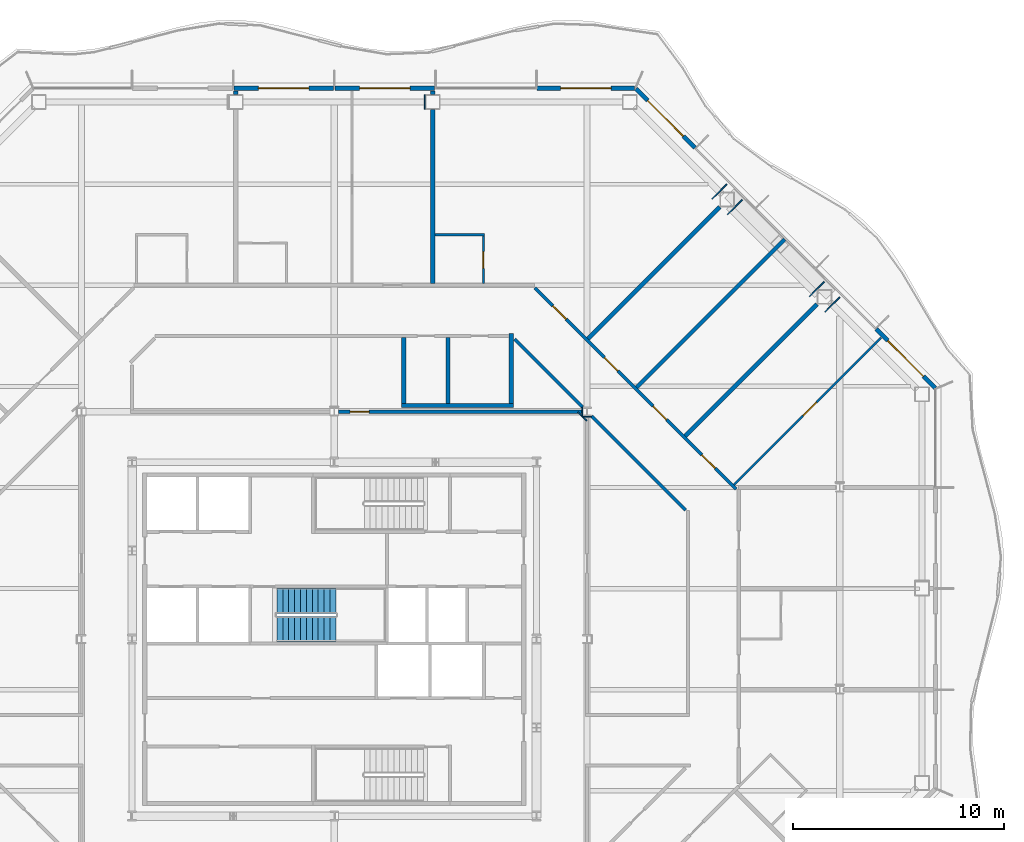
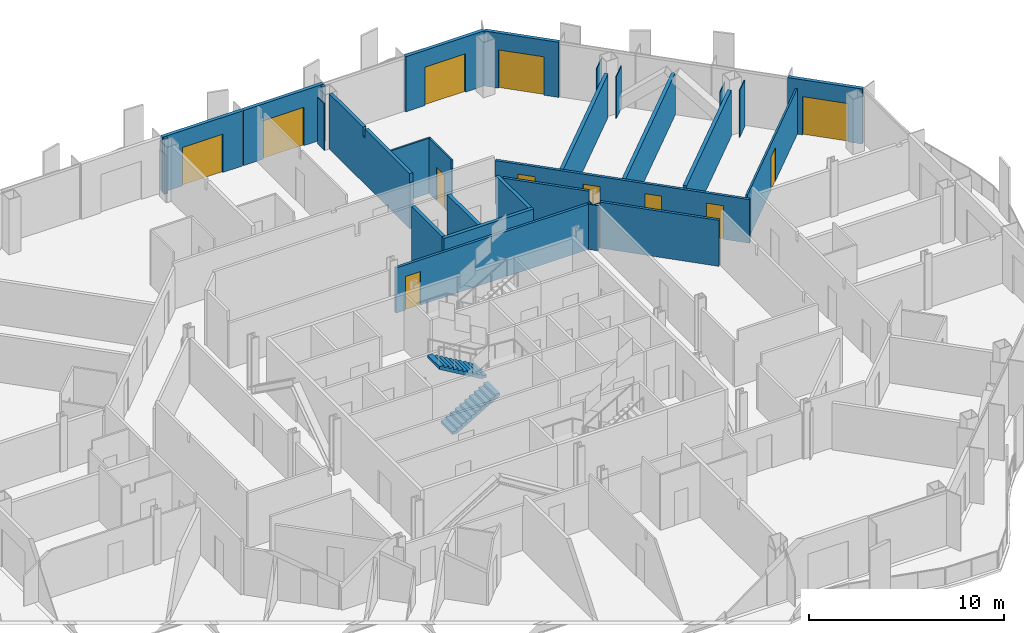
# One storey, part 13 of 22: 30 walls, 12 doors, 2 stair flights, 12 openings, 1 element without a shape of its own.
"""IFC4 building model written with IfcOpenShell, lengths in metres."""

from ifc_helpers import new_model, si_unit, direction, frame, frame_2d, origin, place, context, subcontext, project, spatial, polyline, rectangle, outline, extrude, material, layer, layer_set, type_object, element, fill, aggregate, save


model = new_model("IFC4")

# Units and contexts
model_context = context("Model", 3, precision=1e-05, world=origin(), true_north=direction((0.0, 1.0)))
body_context = subcontext(model_context, "Body", "Model", "MODEL_VIEW")
ifc_project = project(units=[si_unit("LENGTHUNIT", "METRE"), si_unit("AREAUNIT", "SQUARE_METRE"), si_unit("VOLUMEUNIT", "CUBIC_METRE"), si_unit("PLANEANGLEUNIT", "RADIAN"), si_unit("MASSUNIT", "GRAM", prefix="KILO")], contexts=[model_context])

# Site, building, storey
site_placement = place(None, origin())
site = spatial("IfcSite", under=ifc_project, at=site_placement, CompositionType="ELEMENT")
building_placement = place(site_placement, origin())
building = spatial("IfcBuilding", under=site, at=building_placement, Name="Cairn Pilgrim Tower", CompositionType="ELEMENT")
storey_placement = place(building_placement, frame((0.0, 0.0, 147.0)))
storey = spatial("IfcBuildingStorey", under=building, at=storey_placement, Name="L36", CompositionType="ELEMENT", Elevation=147.0)

# Wall, opening, door
ifc_material_1 = material(Name="Bronze anodised aluminium insulated sandwich panel with mineral wool fill", Category="aluminium")
ifc_layer_1 = layer(ifc_material_1, 0.199951171875)
ifc_layer_set_1 = layer_set([ifc_layer_1], Name="BRONZE INFILL FRAME WALL 200")
wall_type_1 = type_object("IfcWallType", Name="BRONZE INFILL FRAME WALL 200", PredefinedType="NOTDEFINED", material=ifc_layer_set_1)
wall_1_placement = place(storey_placement, frame((35.7216796875, 14.32470703125, 0.0), z_axis=(0.0, 0.0, 1.0), x_axis=(-0.707106781187, 0.707106781187, 0.0)))
wall_1 = element("IfcWall", 1, at=wall_1_placement, inside=storey, type_object=wall_type_1, Name="Bronze infill frame wall IW-NE1", PredefinedType="NOTDEFINED", context=body_context, shape_type="SweptSolid", body=[
    extrude(rectangle(XDim=3.961669921875, YDim=0.199951171875, at=frame_2d((1.98095703125, 0.0))), origin(), (0.0, 0.0, 1.0), 3.449951171875),
])
opening_1_placement = place(wall_1_placement, frame((0.775390625, 0.0, 0.0)))
opening_1 = element("IfcOpeningElement", 2, at=opening_1_placement, cuts=wall_1, Name="Opening 3621B", PredefinedType="OPENING", context=body_context, shape_type="SweptSolid", body=[
    extrude(rectangle(XDim=2.39990234375, YDim=2.39990234375, at=frame_2d((1.199951171875, 1.199951171875))), frame((0.0, 0.10986328125, 0.0), z_axis=(0.0, -1.0, 0.0), x_axis=(1.0, 0.0, 0.0)), (0.0, 0.0, 1.0), 0.219970703125),
])
ifc_material_2 = material(Name="Bronze anodised aluminium frame with tinted low-E glass", Category="aluminium")
door_type_1 = type_object("IfcDoorType", Name="BALCONY SLIDING DOOR 2400x2400", OperationType="DOUBLE_DOOR_SLIDING", PredefinedType="DOOR", material=ifc_material_2)
door_1_placement = place(opening_1_placement, origin())
door_1 = element("IfcDoor", 3, at=door_1_placement, inside=storey, type_object=door_type_1, Name="Balcony sliding door 3621B", OperationType="SINGLE_SWING_LEFT", OverallHeight=2.39990234375, OverallWidth=2.39990234375, PredefinedType="DOOR", context=body_context, shape_type="SweptSolid", body=[
    extrude(rectangle(XDim=2.39990234375, YDim=2.39990234375, at=frame_2d((1.199951171875, 1.199951171875))), frame((0.0, 0.02490234375, 0.0), z_axis=(0.0, -1.0, 0.0), x_axis=(1.0, 0.0, 0.0)), (0.0, 0.0, 1.0), 0.050048828125),
])
fill(opening_1, door_1)

wall_2_placement = place(storey_placement, frame((24.325927734375, 25.720458984375, 0.0), z_axis=(0.0, 0.0, 1.0), x_axis=(-0.707106781187, 0.707106781187, 0.0)))
wall_2 = element("IfcWall", 4, at=wall_2_placement, inside=storey, type_object=wall_type_1, Name="Bronze infill frame wall IW-NE5", PredefinedType="NOTDEFINED", context=body_context, shape_type="SweptSolid", body=[
    extrude(rectangle(XDim=3.961669921875, YDim=0.199951171875, at=frame_2d((1.98095703125, 0.0))), origin(), (0.0, 0.0, 1.0), 3.449951171875),
])
opening_2_placement = place(wall_2_placement, frame((0.78564453125, 0.0, 0.0)))
opening_2 = element("IfcOpeningElement", 5, at=opening_2_placement, cuts=wall_2, Name="Opening 3609B", PredefinedType="OPENING", context=body_context, shape_type="SweptSolid", body=[
    extrude(rectangle(XDim=2.39990234375, YDim=2.39990234375, at=frame_2d((1.199951171875, 1.199951171875))), frame((0.0, 0.10986328125, 0.0), z_axis=(0.0, -1.0, 0.0), x_axis=(1.0, 0.0, 0.0)), (0.0, 0.0, 1.0), 0.219970703125),
])
door_2_placement = place(opening_2_placement, origin())
door_2 = element("IfcDoor", 6, at=door_2_placement, inside=storey, type_object=door_type_1, Name="Balcony sliding door 3609B", OperationType="SINGLE_SWING_LEFT", OverallHeight=2.39990234375, OverallWidth=2.39990234375, PredefinedType="DOOR", context=body_context, shape_type="SweptSolid", body=[
    extrude(rectangle(XDim=2.39990234375, YDim=2.39990234375, at=frame_2d((1.199951171875, 1.199951171875))), frame((0.0, 0.02490234375, 0.0), z_axis=(0.0, -1.0, 0.0), x_axis=(1.0, 0.0, 0.0)), (0.0, 0.0, 1.0), 0.050048828125),
])
fill(opening_2, door_2)

wall_3_placement = place(storey_placement, frame((21.45654296875, 28.550048828125, 0.0), z_axis=(0.0, 0.0, 1.0), x_axis=(-1.0, 0.0, 0.0)))
wall_3 = element("IfcWall", 7, at=wall_3_placement, inside=storey, type_object=wall_type_1, Name="Bronze infill frame wall IW-N1", PredefinedType="NOTDEFINED", context=body_context, shape_type="SweptSolid", body=[
    extrude(rectangle(XDim=4.62646484375, YDim=0.199951171875, at=frame_2d((2.313232421875, 0.0))), origin(), (0.0, 0.0, 1.0), 3.449951171875),
])
opening_3_placement = place(wall_3_placement, frame((1.1083984375, 0.0, 0.0)))
opening_3 = element("IfcOpeningElement", 8, at=opening_3_placement, cuts=wall_3, Name="Opening 3609B2", PredefinedType="OPENING", context=body_context, shape_type="SweptSolid", body=[
    extrude(rectangle(XDim=2.39990234375, YDim=2.39990234375, at=frame_2d((1.199951171875, 1.199951171875))), frame((0.0, 0.10986328125, 0.0), z_axis=(0.0, -1.0, 0.0), x_axis=(1.0, 0.0, 0.0)), (0.0, 0.0, 1.0), 0.219970703125),
])
door_3_placement = place(opening_3_placement, origin())
door_3 = element("IfcDoor", 9, at=door_3_placement, inside=storey, type_object=door_type_1, Name="Balcony sliding door 3609B2", OperationType="SINGLE_SWING_LEFT", OverallHeight=2.39990234375, OverallWidth=2.39990234375, PredefinedType="DOOR", context=body_context, shape_type="SweptSolid", body=[
    extrude(rectangle(XDim=2.39990234375, YDim=2.39990234375, at=frame_2d((1.199951171875, 1.199951171875))), frame((0.0, 0.02490234375, 0.0), z_axis=(0.0, -1.0, 0.0), x_axis=(1.0, 0.0, 0.0)), (0.0, 0.0, 1.0), 0.050048828125),
])
fill(opening_3, door_3)

wall_4_placement = place(storey_placement, frame((11.969970703125, 28.550048828125, 0.0), z_axis=(0.0, 0.0, 1.0), x_axis=(-1.0, 0.0, 0.0)))
wall_4 = element("IfcWall", 10, at=wall_4_placement, inside=storey, type_object=wall_type_1, Name="Bronze infill frame wall IW-N3", PredefinedType="NOTDEFINED", context=body_context, shape_type="SweptSolid", body=[
    extrude(rectangle(XDim=4.739990234375, YDim=0.199951171875, at=frame_2d((2.3701171875, 0.0))), origin(), (0.0, 0.0, 1.0), 3.449951171875),
])
opening_4_placement = place(wall_4_placement, frame((1.17041015625, 0.0, 0.0)))
opening_4 = element("IfcOpeningElement", 11, at=opening_4_placement, cuts=wall_4, Name="Opening 3610B", PredefinedType="OPENING", context=body_context, shape_type="SweptSolid", body=[
    extrude(rectangle(XDim=2.39990234375, YDim=2.39990234375, at=frame_2d((1.199951171875, 1.199951171875))), frame((0.0, 0.10986328125, 0.0), z_axis=(0.0, -1.0, 0.0), x_axis=(1.0, 0.0, 0.0)), (0.0, 0.0, 1.0), 0.219970703125),
])
door_4_placement = place(opening_4_placement, origin())
door_4 = element("IfcDoor", 12, at=door_4_placement, inside=storey, type_object=door_type_1, Name="Balcony sliding door 3610B", OperationType="SINGLE_SWING_LEFT", OverallHeight=2.39990234375, OverallWidth=2.39990234375, PredefinedType="DOOR", context=body_context, shape_type="SweptSolid", body=[
    extrude(rectangle(XDim=2.39990234375, YDim=2.39990234375, at=frame_2d((1.199951171875, 1.199951171875))), frame((0.0, 0.02490234375, 0.0), z_axis=(0.0, -1.0, 0.0), x_axis=(1.0, 0.0, 0.0)), (0.0, 0.0, 1.0), 0.050048828125),
])
fill(opening_4, door_4)

wall_5_placement = place(storey_placement, frame((7.169921875, 28.550048828125, 0.0), z_axis=(0.0, 0.0, 1.0), x_axis=(-1.0, 0.0, 0.0)))
wall_5 = element("IfcWall", 13, at=wall_5_placement, inside=storey, type_object=wall_type_1, Name="Bronze infill frame wall IW-N4", PredefinedType="NOTDEFINED", context=body_context, shape_type="SweptSolid", body=[
    extrude(rectangle(XDim=4.739990234375, YDim=0.199951171875, at=frame_2d((2.3701171875, 0.0))), origin(), (0.0, 0.0, 1.0), 3.449951171875),
])
opening_5_placement = place(wall_5_placement, frame((1.17041015625, 0.0, 0.0)))
opening_5 = element("IfcOpeningElement", 14, at=opening_5_placement, cuts=wall_5, Name="Opening 3610SB", PredefinedType="OPENING", context=body_context, shape_type="SweptSolid", body=[
    extrude(rectangle(XDim=2.39990234375, YDim=2.39990234375, at=frame_2d((1.199951171875, 1.199951171875))), frame((0.0, 0.10986328125, 0.0), z_axis=(0.0, -1.0, 0.0), x_axis=(1.0, 0.0, 0.0)), (0.0, 0.0, 1.0), 0.219970703125),
])
door_5_placement = place(opening_5_placement, origin())
door_5 = element("IfcDoor", 15, at=door_5_placement, inside=storey, type_object=door_type_1, Name="Balcony sliding door 3610SB", OperationType="SINGLE_SWING_LEFT", OverallHeight=2.39990234375, OverallWidth=2.39990234375, PredefinedType="DOOR", context=body_context, shape_type="SweptSolid", body=[
    extrude(rectangle(XDim=2.39990234375, YDim=2.39990234375, at=frame_2d((1.199951171875, 1.199951171875))), frame((0.0, 0.02490234375, 0.0), z_axis=(0.0, -1.0, 0.0), x_axis=(1.0, 0.0, 0.0)), (0.0, 0.0, 1.0), 0.050048828125),
])
fill(opening_5, door_5)

ifc_material_3 = material(Name="Gypsum partition")
ifc_layer_2 = layer(ifc_material_3, 0.10009765625)
ifc_layer_set_2 = layer_set([ifc_layer_2], Name="PARTITION 100 DRYWALL")
wall_type_2 = type_object("IfcWallType", Name="PARTITION 100 DRYWALL", PredefinedType="PARTITIONING", material=ifc_layer_set_2)
wall_6_placement = place(storey_placement, frame((26.174072265625, 9.72607421875, 0.0), z_axis=(0.0, 0.0, 1.0), x_axis=(0.707106781187, 0.707106781187, 0.0)))
wall_6 = element("IfcWall", 16, at=wall_6_placement, inside=storey, type_object=wall_type_2, Name="PARTITION W072", PredefinedType="PARTITIONING", context=body_context, shape_type="SweptSolid", body=[
    extrude(rectangle(XDim=9.872802734375, YDim=0.10009765625, at=frame_2d((4.9365234375, 0.0))), origin(), (0.0, 0.0, 1.0), 2.8798828125),
])
opening_6_placement = place(wall_6_placement, frame((4.638916015625, 0.0, 0.0)))
opening_6 = element("IfcOpeningElement", 17, at=opening_6_placement, cuts=wall_6, Name="Opening 3621", PredefinedType="OPENING", context=body_context, shape_type="SweptSolid", body=[
    extrude(rectangle(XDim=0.89990234375, YDim=2.10009765625, at=frame_2d((0.449951171875, 1.050048828125))), frame((0.0, 0.06005859375, 0.0), z_axis=(0.0, -1.0, 0.0), x_axis=(1.0, 0.0, 0.0)), (0.0, 0.0, 1.0), 0.1201171875),
])
ifc_material_4 = material(Name="Timber door leaf", Category="wood")
door_type_2 = type_object("IfcDoorType", Name="SERVICE DOOR 900x2100", OperationType="NOTDEFINED", PredefinedType="DOOR", material=ifc_material_4)
door_6_placement = place(opening_6_placement, origin())
door_6 = element("IfcDoor", 18, at=door_6_placement, inside=storey, type_object=door_type_2, Name="DOOR 3621", OperationType="SINGLE_SWING_RIGHT", OverallHeight=2.10009765625, OverallWidth=0.89990234375, PredefinedType="DOOR", context=body_context, shape_type="SweptSolid", body=[
    extrude(rectangle(XDim=0.89990234375, YDim=2.10009765625, at=frame_2d((0.449951171875, 1.050048828125))), frame((0.0, 0.02490234375, 0.0), z_axis=(0.0, -1.0, 0.0), x_axis=(1.0, 0.0, 0.0)), (0.0, 0.0, 1.0), 0.050048828125),
])
fill(opening_6, door_6)

wall_7_placement = place(storey_placement, frame((14.27587890625, 19.27490234375, 0.0), z_axis=(0.0, 0.0, 1.0), x_axis=(0.0, 1.0, 0.0)))
wall_7 = element("IfcWall", 19, at=wall_7_placement, inside=storey, type_object=wall_type_2, Name="PARTITION W097", PredefinedType="PARTITIONING", context=body_context, shape_type="SweptSolid", body=[
    extrude(outline(polyline([(0.0, 0.0), (2.275146484375, 0.0), (2.27490234375, 3.449951171875), (0.030029296875, 3.449951171875), (0.028076171875, 2.8798828125), (0.0, 2.8798828125), (0.0, 0.0)])), frame((0.0, 0.050048828125, 0.0), z_axis=(0.0, -1.0, 0.0), x_axis=(1.0, 0.0, 0.0)), (0.0, 0.0, 1.0), 0.10009765625),
])
opening_7_placement = place(wall_7_placement, frame((0.72509765625, 0.0, 0.0)))
opening_7 = element("IfcOpeningElement", 20, at=opening_7_placement, cuts=wall_7, Name="Opening 3609A", PredefinedType="OPENING", context=body_context, shape_type="SweptSolid", body=[
    extrude(rectangle(XDim=0.800048828125, YDim=2.10009765625, at=frame_2d((0.39990234375, 1.050048828125))), frame((0.0, 0.06005859375, 0.0), z_axis=(0.0, -1.0, 0.0), x_axis=(1.0, 0.0, 0.0)), (0.0, 0.0, 1.0), 0.1201171875),
])
door_type_3 = type_object("IfcDoorType", Name="WC DOOR 800x2100", OperationType="NOTDEFINED", PredefinedType="DOOR", material=ifc_material_4)
door_7_placement = place(opening_7_placement, frame((0.800048828125, 0.0, 0.0), z_axis=(0.0, 0.0, 1.0), x_axis=(-1.0, 0.0, 0.0)))
door_7 = element("IfcDoor", 21, at=door_7_placement, inside=storey, type_object=door_type_3, Name="DOOR 3609A", OperationType="SINGLE_SWING_LEFT", OverallHeight=2.10009765625, OverallWidth=0.800048828125, PredefinedType="DOOR", context=body_context, shape_type="SweptSolid", body=[
    extrude(rectangle(XDim=0.800048828125, YDim=2.10009765625, at=frame_2d((0.39990234375, 1.050048828125))), frame((0.0, 0.02490234375, 0.0), z_axis=(0.0, -1.0, 0.0), x_axis=(1.0, 0.0, 0.0)), (0.0, 0.0, 1.0), 0.050048828125),
])
fill(opening_7, door_7)

# Walls
wall_8_placement = place(storey_placement, frame((11.97607421875, 21.60009765625, 0.0), z_axis=(0.0, 0.0, 1.0), x_axis=(1.0, 0.0, 0.0)))
element("IfcWall", 22, at=wall_8_placement, inside=storey, type_object=wall_type_2, Name="PARTITION W101", PredefinedType="PARTITIONING", context=body_context, shape_type="SweptSolid", body=[
    extrude(rectangle(XDim=2.349853515625, YDim=0.10009765625, at=frame_2d((1.1748046875, 0.0))), origin(), (0.0, 0.0, 1.0), 3.449951171875),
])
ifc_layer_3 = layer(ifc_material_3, 0.14990234375)
ifc_layer_set_3 = layer_set([ifc_layer_3], Name="PARTITION 150 DRYWALL EI 60")
wall_type_3 = type_object("IfcWallType", Name="PARTITION 150 DRYWALL EI 60", PredefinedType="PARTITIONING", material=ifc_layer_set_3)
wall_9_placement = place(storey_placement, frame((23.8720703125, 8.528076171875, 0.0), z_axis=(0.0, 0.0, 1.0), x_axis=(-0.707126119272, 0.707087442572, 0.0)))
element("IfcWall", 23, at=wall_9_placement, inside=storey, type_object=wall_type_3, Name="PARTITION W064", PredefinedType="PARTITIONING", context=body_context, shape_type="SweptSolid", body=[
    extrude(rectangle(XDim=6.312255859375, YDim=0.14990234375, at=frame_2d((3.15625, 0.0))), origin(), (0.0, 0.0, 1.0), 2.8798828125),
])

# Wall, openings, doors
wall_10_placement = place(storey_placement, frame((26.27197265625, 9.52197265625, 0.0), z_axis=(0.0, 0.0, 1.0), x_axis=(-0.707097742657, 0.707115819601, 0.0)))
wall_10 = element("IfcWall", 24, at=wall_10_placement, inside=storey, type_object=wall_type_3, Name="PARTITION W066", PredefinedType="PARTITIONING", context=body_context, shape_type="SweptSolid", body=[
    extrude(rectangle(XDim=13.505615234375, YDim=0.14990234375, at=frame_2d((6.7529296875, 0.0))), origin(), (0.0, 0.0, 1.0), 2.72998046875),
])
opening_8_placement = place(wall_10_placement, frame((1.398193359375, 0.0, 0.0)))
opening_8 = element("IfcOpeningElement", 25, at=opening_8_placement, cuts=wall_10, Name="Opening 3606", PredefinedType="OPENING", context=body_context, shape_type="SweptSolid", body=[
    extrude(rectangle(XDim=0.89990234375, YDim=2.10009765625, at=frame_2d((0.449951171875, 1.050048828125))), frame((0.0, 0.0849609375, 0.0), z_axis=(0.0, -1.0, 0.0), x_axis=(1.0, 0.0, 0.0)), (0.0, 0.0, 1.0), 0.169921875),
])
opening_9_placement = place(wall_10_placement, frame((4.667724609375, 0.0, 0.0)))
opening_9 = element("IfcOpeningElement", 26, at=opening_9_placement, cuts=wall_10, Name="Opening 3607", PredefinedType="OPENING", context=body_context, shape_type="SweptSolid", body=[
    extrude(rectangle(XDim=0.89990234375, YDim=2.10009765625, at=frame_2d((0.449951171875, 1.050048828125))), frame((0.0, 0.0849609375, 0.0), z_axis=(0.0, -1.0, 0.0), x_axis=(1.0, 0.0, 0.0)), (0.0, 0.0, 1.0), 0.169921875),
])
opening_10_placement = place(wall_10_placement, frame((7.9375, 0.0, 0.0)))
opening_10 = element("IfcOpeningElement", 27, at=opening_10_placement, cuts=wall_10, Name="Opening 3608", PredefinedType="OPENING", context=body_context, shape_type="SweptSolid", body=[
    extrude(rectangle(XDim=0.89990234375, YDim=2.10009765625, at=frame_2d((0.449951171875, 1.050048828125))), frame((0.0, 0.0849609375, 0.0), z_axis=(0.0, -1.0, 0.0), x_axis=(1.0, 0.0, 0.0)), (0.0, 0.0, 1.0), 0.169921875),
])
opening_11_placement = place(wall_10_placement, frame((11.40478515625, 0.0, 0.0)))
opening_11 = element("IfcOpeningElement", 28, at=opening_11_placement, cuts=wall_10, Name="Opening 3609", PredefinedType="OPENING", context=body_context, shape_type="SweptSolid", body=[
    extrude(rectangle(XDim=0.89990234375, YDim=2.10009765625, at=frame_2d((0.449951171875, 1.050048828125))), frame((0.0, 0.0849609375, 0.0), z_axis=(0.0, -1.0, 0.0), x_axis=(1.0, 0.0, 0.0)), (0.0, 0.0, 1.0), 0.169921875),
])
door_type_4 = type_object("IfcDoorType", Name="ROOM DOOR 900x2100 FD30S", OperationType="NOTDEFINED", PredefinedType="DOOR", material=ifc_material_4)
door_8_placement = place(opening_8_placement, frame((0.89990234375, 0.0, 0.0), z_axis=(0.0, 0.0, 1.0), x_axis=(-1.0, 0.0, 0.0)))
door_8 = element("IfcDoor", 29, at=door_8_placement, inside=storey, type_object=door_type_4, Name="DOOR 3606", OperationType="SINGLE_SWING_LEFT", OverallHeight=2.10009765625, OverallWidth=0.89990234375, PredefinedType="DOOR", context=body_context, shape_type="SweptSolid", body=[
    extrude(rectangle(XDim=0.89990234375, YDim=2.10009765625, at=frame_2d((0.449951171875, 1.050048828125))), frame((0.0, 0.02490234375, 0.0), z_axis=(0.0, -1.0, 0.0), x_axis=(1.0, 0.0, 0.0)), (0.0, 0.0, 1.0), 0.050048828125),
])
fill(opening_8, door_8)
door_9_placement = place(opening_11_placement, frame((0.89990234375, 0.0, 0.0), z_axis=(0.0, 0.0, 1.0), x_axis=(-1.0, 0.0, 0.0)))
door_9 = element("IfcDoor", 30, at=door_9_placement, inside=storey, type_object=door_type_4, Name="DOOR 3609", OperationType="SINGLE_SWING_LEFT", OverallHeight=2.10009765625, OverallWidth=0.89990234375, PredefinedType="DOOR", context=body_context, shape_type="SweptSolid", body=[
    extrude(rectangle(XDim=0.89990234375, YDim=2.10009765625, at=frame_2d((0.449951171875, 1.050048828125))), frame((0.0, 0.02490234375, 0.0), z_axis=(0.0, -1.0, 0.0), x_axis=(1.0, 0.0, 0.0)), (0.0, 0.0, 1.0), 0.050048828125),
])
fill(opening_11, door_9)
door_type_5 = type_object("IfcDoorType", Name="SERVICE DOOR 900x2100 FD30S", OperationType="NOTDEFINED", PredefinedType="DOOR", material=ifc_material_4)
door_10_placement = place(opening_9_placement, frame((0.89990234375, 0.0, 0.0), z_axis=(0.0, 0.0, 1.0), x_axis=(-1.0, 0.0, 0.0)))
door_10 = element("IfcDoor", 31, at=door_10_placement, inside=storey, type_object=door_type_5, Name="DOOR 3607", OperationType="SINGLE_SWING_LEFT", OverallHeight=2.10009765625, OverallWidth=0.89990234375, PredefinedType="DOOR", context=body_context, shape_type="SweptSolid", body=[
    extrude(rectangle(XDim=0.89990234375, YDim=2.10009765625, at=frame_2d((0.449951171875, 1.050048828125))), frame((0.0, 0.02490234375, 0.0), z_axis=(0.0, -1.0, 0.0), x_axis=(1.0, 0.0, 0.0)), (0.0, 0.0, 1.0), 0.050048828125),
])
fill(opening_9, door_10)
door_11_placement = place(opening_10_placement, frame((0.89990234375, 0.0, 0.0), z_axis=(0.0, 0.0, 1.0), x_axis=(-1.0, 0.0, 0.0)))
door_11 = element("IfcDoor", 32, at=door_11_placement, inside=storey, type_object=door_type_5, Name="DOOR 3608", OperationType="SINGLE_SWING_LEFT", OverallHeight=2.10009765625, OverallWidth=0.89990234375, PredefinedType="DOOR", context=body_context, shape_type="SweptSolid", body=[
    extrude(rectangle(XDim=0.89990234375, YDim=2.10009765625, at=frame_2d((0.449951171875, 1.050048828125))), frame((0.0, 0.02490234375, 0.0), z_axis=(0.0, -1.0, 0.0), x_axis=(1.0, 0.0, 0.0)), (0.0, 0.0, 1.0), 0.050048828125),
])
fill(opening_10, door_11)

# Wall, opening, door
wall_11_placement = place(storey_placement, frame((7.404541015625, 13.199951171875, 0.0), z_axis=(0.0, 0.0, 1.0), x_axis=(1.0, 0.0, 0.0)))
wall_11 = element("IfcWall", 33, at=wall_11_placement, inside=storey, type_object=wall_type_3, Name="PARTITION W078", PredefinedType="PARTITIONING", context=body_context, shape_type="SweptSolid", body=[
    extrude(rectangle(XDim=11.591064453125, YDim=0.14990234375, at=frame_2d((5.79541015625, 0.0))), origin(), (0.0, 0.0, 1.0), 2.830078125),
])
opening_12_placement = place(wall_11_placement, frame((0.54541015625, 0.0, 0.0)))
opening_12 = element("IfcOpeningElement", 34, at=opening_12_placement, cuts=wall_11, Name="Opening 3627", PredefinedType="OPENING", context=body_context, shape_type="SweptSolid", body=[
    extrude(rectangle(XDim=0.89990234375, YDim=2.10009765625, at=frame_2d((0.449951171875, 1.050048828125))), frame((0.0, 0.0849609375, 0.0), z_axis=(0.0, -1.0, 0.0), x_axis=(1.0, 0.0, 0.0)), (0.0, 0.0, 1.0), 0.169921875),
])
door_12_placement = place(opening_12_placement, origin())
door_12 = element("IfcDoor", 35, at=door_12_placement, inside=storey, type_object=door_type_5, Name="DOOR 3627", OperationType="SINGLE_SWING_LEFT", OverallHeight=2.10009765625, OverallWidth=0.89990234375, PredefinedType="DOOR", context=body_context, shape_type="SweptSolid", body=[
    extrude(rectangle(XDim=0.89990234375, YDim=2.10009765625, at=frame_2d((0.449951171875, 1.050048828125))), frame((0.0, 0.02490234375, 0.0), z_axis=(0.0, -1.0, 0.0), x_axis=(1.0, 0.0, 0.0)), (0.0, 0.0, 1.0), 0.050048828125),
])
fill(opening_12, door_12)

# Walls
wall_12_placement = place(storey_placement, frame((18.991455078125, 13.408447265625, 0.0), z_axis=(0.0, 0.0, 1.0), x_axis=(-0.707106781187, 0.707106781187, 0.0)))
element("IfcWall", 36, at=wall_12_placement, inside=storey, type_object=wall_type_3, Name="PARTITION W080", PredefinedType="PARTITIONING", context=body_context, shape_type="SweptSolid", body=[
    extrude(rectangle(XDim=4.580078125, YDim=0.14990234375, at=frame_2d((2.2900390625, 0.0))), origin(), (0.0, 0.0, 1.0), 3.449951171875),
])
ifc_layer_4 = layer(ifc_material_3, 0.050048828125)
ifc_layer_set_4 = layer_set([ifc_layer_4], Name="PARTITION 50 DRYWALL EI 60")
wall_type_4 = type_object("IfcWallType", Name="PARTITION 50 DRYWALL EI 60", PredefinedType="PARTITIONING", material=ifc_layer_set_4)
wall_13_placement = place(storey_placement, frame((18.970458984375, 12.987548828125, 0.0), z_axis=(0.0, 0.0, 1.0), x_axis=(0.0, 1.0, 0.0)))
element("IfcWall", 37, at=wall_13_placement, inside=storey, type_object=wall_type_4, Name="COLUMN CASING WC20", PredefinedType="PARTITIONING", context=body_context, shape_type="SweptSolid", body=[
    extrude(rectangle(XDim=0.425048828125, YDim=0.050048828125, at=frame_2d((0.21240234375, 0.0))), origin(), (0.0, 0.0, 1.0), 2.830078125),
])
wall_14_placement = place(storey_placement, frame((19.182373046875, 12.765380859375, 0.0), z_axis=(0.0, 0.0, 1.0), x_axis=(-0.707106781187, 0.707106781187, 0.0)))
element("IfcWall", 38, at=wall_14_placement, inside=storey, type_object=wall_type_4, Name="COLUMN CASING WC26", PredefinedType="PARTITIONING", context=body_context, shape_type="SweptSolid", body=[
    extrude(rectangle(XDim=0.589599609375, YDim=0.050048828125, at=frame_2d((0.294921875, 0.0))), origin(), (0.0, 0.0, 1.0), 2.830078125),
])
wall_15_placement = place(storey_placement, frame((29.758056640625, 18.669189453125, 0.0), z_axis=(0.0, 0.0, 1.0), x_axis=(0.707106781187, 0.707106781187, 0.0)))
element("IfcWall", 39, at=wall_15_placement, inside=storey, type_object=wall_type_4, Name="COLUMN CASING WC29", PredefinedType="PARTITIONING", context=body_context, shape_type="SweptSolid", body=[
    extrude(rectangle(XDim=0.989990234375, YDim=0.050048828125, at=frame_2d((0.4951171875, 0.0))), origin(), (0.0, 0.0, 1.0), 2.6298828125),
])
wall_16_placement = place(storey_placement, frame((30.493408203125, 17.933837890625, 0.0), z_axis=(0.0, 0.0, 1.0), x_axis=(0.707106781187, 0.707106781187, 0.0)))
element("IfcWall", 40, at=wall_16_placement, inside=storey, type_object=wall_type_4, Name="COLUMN CASING WC30", PredefinedType="PARTITIONING", context=body_context, shape_type="SweptSolid", body=[
    extrude(rectangle(XDim=0.989990234375, YDim=0.050048828125, at=frame_2d((0.4951171875, 0.0))), origin(), (0.0, 0.0, 1.0), 2.929931640625),
])
wall_17_placement = place(storey_placement, frame((18.99560546875, 12.96240234375, 0.0), z_axis=(0.0, 0.0, 1.0), x_axis=(1.0, 0.0, 0.0)))
element("IfcWall", 41, at=wall_17_placement, inside=storey, type_object=wall_type_4, Name="COLUMN CASING WC33", PredefinedType="PARTITIONING", context=body_context, shape_type="SweptSolid", body=[
    extrude(rectangle(XDim=0.408935546875, YDim=0.050048828125, at=frame_2d((0.20458984375, 0.0))), origin(), (0.0, 0.0, 1.0), 2.830078125),
])
wall_18_placement = place(storey_placement, frame((25.1337890625, 23.29345703125, 0.0), z_axis=(0.0, 0.0, 1.0), x_axis=(0.707106781187, 0.707106781187, 0.0)))
element("IfcWall", 42, at=wall_18_placement, inside=storey, type_object=wall_type_4, Name="COLUMN CASING WC36", PredefinedType="PARTITIONING", context=body_context, shape_type="SweptSolid", body=[
    extrude(rectangle(XDim=0.989990234375, YDim=0.050048828125, at=frame_2d((0.4951171875, 0.0))), origin(), (0.0, 0.0, 1.0), 2.929931640625),
])
wall_19_placement = place(storey_placement, frame((25.869140625, 22.55810546875, 0.0), z_axis=(0.0, 0.0, 1.0), x_axis=(0.707106781187, 0.707106781187, 0.0)))
element("IfcWall", 43, at=wall_19_placement, inside=storey, type_object=wall_type_4, Name="COLUMN CASING WC37", PredefinedType="PARTITIONING", context=body_context, shape_type="SweptSolid", body=[
    extrude(rectangle(XDim=0.989990234375, YDim=0.050048828125, at=frame_2d((0.4951171875, 0.0))), origin(), (0.0, 0.0, 1.0), 2.6298828125),
])
wall_20_placement = place(storey_placement, frame((11.500732421875, 27.550048828125, 0.0), z_axis=(0.0, 0.0, 1.0), x_axis=(0.0, 1.0, 0.0)))
element("IfcWall", 44, at=wall_20_placement, inside=storey, type_object=wall_type_4, Name="COLUMN CASING WC39", PredefinedType="PARTITIONING", context=body_context, shape_type="SweptSolid", body=[
    extrude(rectangle(XDim=0.699951171875, YDim=0.050048828125, at=frame_2d((0.35009765625, 0.0))), origin(), (0.0, 0.0, 1.0), 2.929931640625),
])
ifc_layer_5 = layer(ifc_material_3, 0.199951171875)
ifc_layer_set_5 = layer_set([ifc_layer_5], Name="SHAFT WALL 200 GYPSUM EI 60")
wall_type_5 = type_object("IfcWallType", Name="SHAFT WALL 200 GYPSUM EI 60", PredefinedType="PARTITIONING", material=ifc_layer_set_5)
wall_21_placement = place(storey_placement, frame((23.862060546875, 12.0380859375, 0.0), z_axis=(0.0, 0.0, 1.0), x_axis=(0.707106781187, 0.707106781187, 0.0)))
element("IfcWall", 45, at=wall_21_placement, inside=storey, type_object=wall_type_5, Name="PARTITION W075", PredefinedType="PARTITIONING", context=body_context, shape_type="SweptSolid", body=[
    extrude(rectangle(XDim=8.85791015625, YDim=0.199951171875, at=frame_2d((4.428955078125, 0.0))), origin(), (0.0, 0.0, 1.0), 2.8798828125),
])
wall_22_placement = place(storey_placement, frame((10.39990234375, 13.5, 0.0), z_axis=(0.0, 0.0, 1.0), x_axis=(1.0, 0.0, 0.0)))
element("IfcWall", 46, at=wall_22_placement, inside=storey, type_object=wall_type_5, Name="PARTITION W081", PredefinedType="PARTITIONING", context=body_context, shape_type="SweptSolid", body=[
    extrude(rectangle(XDim=5.300048828125, YDim=0.199951171875, at=frame_2d((2.64990234375, 0.0))), origin(), (0.0, 0.0, 1.0), 3.449951171875),
])
for number, where, z_axis, x_axis, name in (
    (47, (10.5, 13.60009765625, 0.0), (0.0, 0.0, 1.0), (0.0, 1.0, 0.0), "PARTITION W082"),
    (48, (12.60009765625, 13.60009765625, 0.0), (0.0, 0.0, 1.0), (0.0, 1.0, 0.0), "PARTITION W083"),
):
    element("IfcWall", number, at=place(storey_placement, frame(where, z_axis=z_axis, x_axis=x_axis)), inside=storey, type_object=wall_type_5, Name=name, PredefinedType="PARTITIONING", context=body_context, shape_type="SweptSolid", body=[
        extrude(rectangle(XDim=3.125, YDim=0.199951171875, at=frame_2d((1.5625, 0.0))), origin(), (0.0, 0.0, 1.0), 3.449951171875),
    ])
wall_23_placement = place(storey_placement, frame((15.60009765625, 13.60009765625, 0.0), z_axis=(0.0, 0.0, 1.0), x_axis=(0.0, 1.0, 0.0)))
element("IfcWall", 49, at=wall_23_placement, inside=storey, type_object=wall_type_5, Name="PARTITION W084", PredefinedType="PARTITIONING", context=body_context, shape_type="SweptSolid", body=[
    extrude(rectangle(XDim=3.31640625, YDim=0.199951171875, at=frame_2d((1.658203125, 0.0))), origin(), (0.0, 0.0, 1.0), 3.449951171875),
])
wall_24_placement = place(storey_placement, frame((21.550048828125, 14.35009765625, 0.0), z_axis=(0.0, 0.0, 1.0), x_axis=(0.707106781187, 0.707106781187, 0.0)))
element("IfcWall", 50, at=wall_24_placement, inside=storey, type_object=wall_type_5, Name="PARTITION W085", PredefinedType="PARTITIONING", context=body_context, shape_type="SweptSolid", body=[
    extrude(rectangle(XDim=9.943115234375, YDim=0.199951171875, at=frame_2d((4.9716796875, 0.0))), origin(), (0.0, 0.0, 1.0), 2.6298828125),
])
wall_25_placement = place(storey_placement, frame((19.238037109375, 16.662109375, 0.0), z_axis=(0.0, 0.0, 1.0), x_axis=(0.707120561855, 0.707093000249, 0.0)))
element("IfcWall", 51, at=wall_25_placement, inside=storey, type_object=wall_type_5, Name="PARTITION W088", PredefinedType="PARTITIONING", context=body_context, shape_type="SweptSolid", body=[
    extrude(rectangle(XDim=8.85791015625, YDim=0.199951171875, at=frame_2d((4.428955078125, 0.0))), origin(), (0.0, 0.0, 1.0), 2.72998046875),
])
wall_26_placement = place(storey_placement, frame((11.8759765625, 19.27490234375, 0.0), z_axis=(0.0, 0.0, 1.0), x_axis=(0.0, 1.0, 0.0)))
element("IfcWall", 52, at=wall_26_placement, inside=storey, type_object=wall_type_5, Name="PARTITION W096", PredefinedType="PARTITIONING", context=body_context, shape_type="SweptSolid", body=[
    extrude(outline(polyline([(0.0, 0.0), (8.275146484375, 0.0), (8.27490234375, 3.449951171875), (4.830078125, 3.449951171875), (4.827880859375, 2.8798828125), (4.6201171875, 2.8798828125), (4.617919921875, 3.449951171875), (0.030029296875, 3.449951171875), (0.028076171875, 2.8798828125), (0.0, 2.8798828125), (0.0, 0.0)])), frame((0.0, 0.10009765625, 0.0), z_axis=(0.0, -1.0, 0.0), x_axis=(1.0, 0.0, 0.0)), (0.0, 0.0, 1.0), 0.199951171875),
])
for number, where, z_axis, x_axis, name in (
    (53, (2.52392578125, 28.25, 0.0), (0.0, 0.0, 1.0), (0.0, 1.0, 0.0), "PARTITION W102"),
    (54, (11.8759765625, 28.25, 0.0), (0.0, 0.0, 1.0), (0.0, 1.0, 0.0), "PARTITION W103"),
):
    element("IfcWall", number, at=place(storey_placement, frame(where, z_axis=z_axis, x_axis=x_axis)), inside=storey, type_object=wall_type_5, Name=name, PredefinedType="PARTITIONING", context=body_context, shape_type="SweptSolid", body=[
        extrude(rectangle(XDim=0.169921875, YDim=0.199951171875, at=frame_2d((0.0849609375, 0.0))), origin(), (0.0, 0.0, 1.0), 3.449951171875),
    ])

# Stair, stair flights
ifc_material_5 = material(Name="Concrete C32/40", Category="concrete")
stair_type = type_object("IfcStairType", Name="EXIT STAIR 1200", PredefinedType="HALF_TURN_STAIR", material=ifc_material_5)
stair_placement = place(storey_placement, origin())
stair = element("IfcStair", 55, at=stair_placement, inside=storey, type_object=stair_type, Name="L36 Exit Stair B", PredefinedType="HALF_TURN_STAIR")
stair_flight_type = type_object("IfcStairFlightType", Name="STAIR FLIGHT 1200", PredefinedType="STRAIGHT", material=ifc_material_5)
stair_flight_1_placement = place(storey_placement, frame((4.47509765625, 2.875, 0.0), z_axis=(0.0, 0.0, 1.0), x_axis=(1.0, 0.0, 0.0)))
stair_flight_1 = element("IfcStairFlight", 56, at=stair_flight_1_placement, type_object=stair_flight_type, Name="ST-B flight 1", NumberOfRisers=11, NumberOfTreads=10, PredefinedType="STRAIGHT", RiserHeight=0.163636364, TreadLength=0.28, context=body_context, shape_type="SweptSolid", body=[
    extrude(outline(polyline([(0.0, 0.0), (0.0, 0.16357421875), (0.280029296875, 0.16357421875), (0.280029296875, 0.327392578125), (0.56005859375, 0.327392578125), (0.56005859375, 0.490966796875), (0.840087890625, 0.490966796875), (0.840087890625, 0.654541015625), (1.1201171875, 0.654541015625), (1.1201171875, 0.818115234375), (1.39990234375, 0.818115234375), (1.39990234375, 0.98193359375), (1.679931640625, 0.98193359375), (1.679931640625, 1.1455078125), (1.9599609375, 1.1455078125), (1.9599609375, 1.30908203125), (2.239990234375, 1.30908203125), (2.239990234375, 1.47265625), (2.52001953125, 1.47265625), (2.52001953125, 1.636474609375), (2.800048828125, 1.636474609375), (2.800048828125, 1.800048828125), (2.800048828125, 1.462646484375), (0.297119140625, 0.0), (0.0, 0.0)])), frame((0.0, 0.60009765625, 0.0), z_axis=(0.0, -1.0, 0.0), x_axis=(1.0, 0.0, 0.0)), (0.0, 0.0, 1.0), 1.199951171875),
])
stair_flight_2_placement = place(storey_placement, frame((7.27490234375, 4.22509765625, 1.800048828125), z_axis=(0.0, 0.0, 1.0), x_axis=(-1.0, 0.0, 0.0)))
stair_flight_2 = element("IfcStairFlight", 57, at=stair_flight_2_placement, type_object=stair_flight_type, Name="ST-B flight 2", NumberOfRisers=11, NumberOfTreads=10, PredefinedType="STRAIGHT", RiserHeight=0.163636364, TreadLength=0.28, context=body_context, shape_type="SweptSolid", body=[
    extrude(outline(polyline([(0.0, 0.0), (0.0, 0.16357421875), (0.280029296875, 0.16357421875), (0.280029296875, 0.327392578125), (0.56005859375, 0.327392578125), (0.56005859375, 0.490966796875), (0.840087890625, 0.490966796875), (0.840087890625, 0.654541015625), (1.1201171875, 0.654541015625), (1.1201171875, 0.818115234375), (1.39990234375, 0.818115234375), (1.39990234375, 0.98193359375), (1.679931640625, 0.98193359375), (1.679931640625, 1.1455078125), (1.9599609375, 1.1455078125), (1.9599609375, 1.30908203125), (2.239990234375, 1.30908203125), (2.239990234375, 1.47265625), (2.52001953125, 1.47265625), (2.52001953125, 1.636474609375), (2.800048828125, 1.636474609375), (2.800048828125, 1.800048828125), (2.800048828125, 1.462646484375), (0.297119140625, 0.0), (0.0, 0.0)])), frame((0.0, 0.60009765625, 0.0), z_axis=(0.0, -1.0, 0.0), x_axis=(1.0, 0.0, 0.0)), (0.0, 0.0, 1.0), 1.199951171875),
])
aggregate(stair, [stair_flight_1, stair_flight_2])

save(model, "model.ifc")
